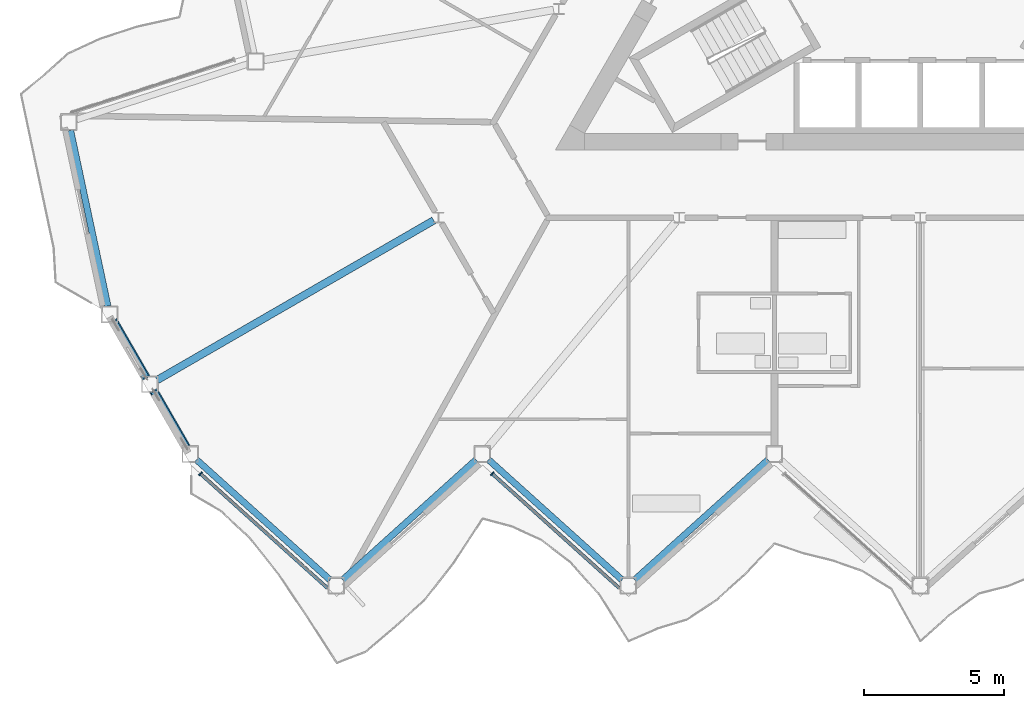
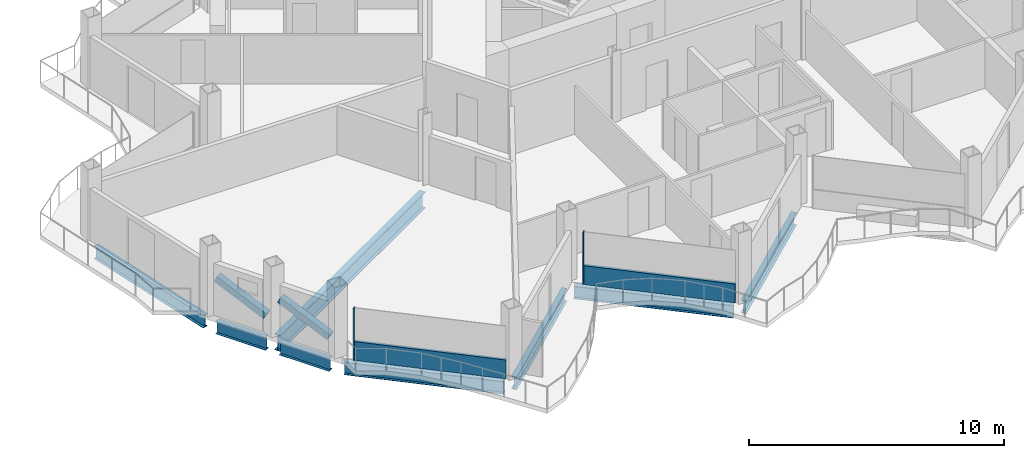
# One storey, part 4 of 26: 8 beams, 6 members, 2 elements without a shape of their own.
"""IFC4 building model written with IfcOpenShell, lengths in metres."""

from ifc_helpers import new_model, si_unit, direction, frame, origin, origin_2d, place, context, subcontext, project, spatial, rectangle, hollow_rectangle, i_section, extrude, material, layer, layer_set, material_profile, profile_set, type_object, element, aggregate, save


model = new_model("IFC4")

# Units and contexts
model_context = context("Model", 3, precision=1e-05, world=origin(), true_north=direction((0.0, 1.0)))
body_context = subcontext(model_context, "Body", "Model", "MODEL_VIEW")
ifc_project = project(units=[si_unit("LENGTHUNIT", "METRE"), si_unit("AREAUNIT", "SQUARE_METRE"), si_unit("VOLUMEUNIT", "CUBIC_METRE"), si_unit("PLANEANGLEUNIT", "RADIAN"), si_unit("MASSUNIT", "GRAM", prefix="KILO")], contexts=[model_context])

# Site, building, storey
site_placement = place(None, origin())
site = spatial("IfcSite", under=ifc_project, at=site_placement, CompositionType="ELEMENT")
building_placement = place(site_placement, origin())
building = spatial("IfcBuilding", under=site, at=building_placement, Name="Cormorant Prow Tower", CompositionType="ELEMENT")
storey_placement = place(building_placement, frame((0.0, 0.0, 322.199951171875)))
storey = spatial("IfcBuildingStorey", under=building, at=storey_placement, Name="L71", CompositionType="ELEMENT", Elevation=322.199951171875)

# Members
ifc_material_1 = material(Name="Structural steel ASTM A500 Gr C", Category="steel")
ifc_material_profile_1 = material_profile(ifc_material_1, hollow_rectangle(XDim=0.3046875, YDim=0.3046875, WallThickness=0.01171875, at=origin_2d()), Name="HSS12x12x1/2")
ifc_profile_set_1 = profile_set([ifc_material_profile_1], Name="Structural steel ASTM A500 Gr C")
member_type_1 = type_object("IfcMemberType", Name="Chamfer brace HSS12x12x1/2", PredefinedType="BRACE", material=ifc_profile_set_1)
for number, where, z_axis, x_axis, name in (
    (1, (-27.589599609375, -15.5654296875, 0.7412109375), (-0.456265706889, 0.790324476185, 0.408911759503), (-0.866038851724, -0.499976706761, 0.0), "Chamfer brace BR3 at WSW00 L71"),
    (2, (-26.15283203125, -18.05419921875, 0.7412109375), (-0.456265706889, 0.790324476185, 0.408911759503), (-0.866038851724, -0.499976706761, 0.0), "Chamfer brace BR3 at WSW01 L71"),
):
    element("IfcMember", number, at=place(storey_placement, frame(where, z_axis=z_axis, x_axis=x_axis)), inside=storey, type_object=member_type_1, Name=name, PredefinedType="BRACE", context=body_context, shape_type="SweptSolid", body=[
        extrude(hollow_rectangle(XDim=0.3046875, YDim=0.3046875, WallThickness=0.01171875, at=origin_2d()), origin(), (0.0, 0.0, 1.0), 2.459228515625),
    ])

# Beam
ifc_material_2 = material(Name="Structural steel ASTM A992 Gr 50", Category="steel")
ifc_material_profile_2 = material_profile(ifc_material_2, i_section(OverallWidth=0.267822265625, OverallDepth=0.77001953125, WebThickness=0.015625, FlangeThickness=0.025390625, at=origin_2d()), Name="W30x132")
ifc_profile_set_2 = profile_set([ifc_material_profile_2], Name="Structural steel ASTM A992 Gr 50")
beam_type_1 = type_object("IfcBeamType", Name="Radial floor beam W30x132", PredefinedType="BEAM", material=ifc_profile_set_2)
beam_1_placement = place(storey_placement, frame((-17.328125, -10.00439453125, -0.684814453125), z_axis=(-0.866024637028, -0.500001328059, 0.0), x_axis=(0.500001328059, -0.866024637028, 0.0)))
element("IfcBeam", 3, at=beam_1_placement, inside=storey, type_object=beam_type_1, Name="Radial floor beam FB3 5 L71", PredefinedType="BEAM", context=body_context, shape_type="SweptSolid", body=[
    extrude(i_section(OverallWidth=0.267822265625, OverallDepth=0.77001953125, WebThickness=0.015625, FlangeThickness=0.025390625, at=origin_2d()), origin(), (0.0, 0.0, 1.0), 11.3671875),
])

# Curtain wall, member
ifc_material_3 = material(Name="Aluminium 6063-T6", Category="aluminium")
ifc_layer = layer(ifc_material_3, 0.159912109375)
ifc_layer_set = layer_set([ifc_layer], Name="Aluminium 6063-T6")
curtain_wall_type = type_object("IfcCurtainWallType", Name="Residential unitised curtain wall 160", PredefinedType="NOTDEFINED", material=ifc_layer_set)
curtain_wall_1_placement = place(storey_placement, origin())
curtain_wall_1 = element("IfcCurtainWall", 4, at=curtain_wall_1_placement, inside=storey, type_object=curtain_wall_type, Name="Residential curtain wall S00", PredefinedType="NOTDEFINED")
ifc_material_4 = material(Name="Aluminium 6063-T6", Category="aluminium")
ifc_material_profile_3 = material_profile(ifc_material_4, rectangle(XDim=0.159912109375, YDim=0.050048828125, at=origin_2d()), Name="Residential mullion 50x160")
ifc_profile_set_3 = profile_set([ifc_material_profile_3], Name="Aluminium 6063-T6")
member_type_2 = type_object("IfcMemberType", Name="Residential mullion 50x160", PredefinedType="MULLION", material=ifc_profile_set_3)
member_1_placement = place(storey_placement, frame((-25.63232421875, -19.025146484375, 0.0), z_axis=(0.0, 0.0, 1.0), x_axis=(0.669130654479, 0.74314478215, 0.0)))
member_1 = element("IfcMember", 5, at=member_1_placement, type_object=member_type_2, Name="Residential mullion S00", PredefinedType="MULLION", context=body_context, shape_type="SweptSolid", body=[
    extrude(rectangle(XDim=0.159912109375, YDim=0.050048828125, at=origin_2d()), origin(), (0.0, 0.0, 1.0), 2.488037109375),
])

curtain_wall_2_placement = place(storey_placement, origin())
curtain_wall_2 = element("IfcCurtainWall", 6, at=curtain_wall_2_placement, inside=storey, type_object=curtain_wall_type, Name="Residential curtain wall S02", PredefinedType="NOTDEFINED")
member_2_placement = place(storey_placement, frame((-15.242919921875, -19.025146484375, 0.0), z_axis=(0.0, 0.0, 1.0), x_axis=(0.669130654479, 0.74314478215, 0.0)))
member_2 = element("IfcMember", 7, at=member_2_placement, type_object=member_type_2, Name="Residential mullion S02", PredefinedType="MULLION", context=body_context, shape_type="SweptSolid", body=[
    extrude(rectangle(XDim=0.159912109375, YDim=0.050048828125, at=origin_2d()), origin(), (0.0, 0.0, 1.0), 2.488037109375),
])

# Member
ifc_material_5 = material(Name="Terracotta", Category="masonry")
ifc_material_profile_4 = material_profile(ifc_material_5, rectangle(XDim=0.1201171875, YDim=0.89990234375, at=origin_2d()), Name="Residential terracotta spandrel rail 120x900")
ifc_profile_set_4 = profile_set([ifc_material_profile_4], Name="Terracotta")
member_type_3 = type_object("IfcMemberType", Name="Residential terracotta spandrel rail 120x900", PredefinedType="USERDEFINED", material=ifc_profile_set_4)
member_3_placement = place(storey_placement, frame((-25.61376953125, -19.0419921875, 0.449951171875), z_axis=(0.74314818338, -0.669126877012, 0.0), x_axis=(0.669126877012, 0.74314818338, 0.0)))
member_3 = element("IfcMember", 8, at=member_3_placement, type_object=member_type_3, Name="Residential spandrel rail S00", ObjectType="TRANSOM", PredefinedType="USERDEFINED", context=body_context, shape_type="SweptSolid", body=[
    extrude(rectangle(XDim=0.1201171875, YDim=0.89990234375, at=origin_2d()), origin(), (0.0, 0.0, 1.0), 6.072021484375),
])

aggregate(curtain_wall_1, [member_1, member_3])

member_4_placement = place(storey_placement, frame((-15.224365234375, -19.0419921875, 0.449951171875), z_axis=(0.74314818338, -0.669126877012, 0.0), x_axis=(0.669126877012, 0.74314818338, 0.0)))
member_4 = element("IfcMember", 9, at=member_4_placement, type_object=member_type_3, Name="Residential spandrel rail S02", ObjectType="TRANSOM", PredefinedType="USERDEFINED", context=body_context, shape_type="SweptSolid", body=[
    extrude(rectangle(XDim=0.1201171875, YDim=0.89990234375, at=origin_2d()), origin(), (0.0, 0.0, 1.0), 6.072021484375),
])

aggregate(curtain_wall_2, [member_2, member_4])

# Beams
ifc_material_6 = material(Name="Structural steel ASTM A992 Gr 50", Category="steel")
ifc_material_profile_5 = material_profile(ifc_material_6, i_section(OverallWidth=0.22900390625, OverallDepth=0.612060546875, WebThickness=0.011962890625, FlangeThickness=0.01953125, at=origin_2d()), Name="W24x84")
ifc_profile_set_5 = profile_set([ifc_material_profile_5], Name="Structural steel ASTM A992 Gr 50")
beam_type_2 = type_object("IfcBeamType", Name="Spandrel beam W24x84", PredefinedType="SPANDREL", material=ifc_profile_set_5)
beam_2_placement = place(storey_placement, frame((-25.7724609375, -18.527587890625, -0.60595703125), z_axis=(0.743144186555, -0.669131315954, 0.0), x_axis=(0.669131315954, 0.743144186555, 0.0)))
element("IfcBeam", 10, at=beam_2_placement, inside=storey, type_object=beam_type_2, Name="Spandrel beam SB3 S00-S01 L71", PredefinedType="SPANDREL", context=body_context, shape_type="SweptSolid", body=[
    extrude(i_section(OverallWidth=0.22900390625, OverallDepth=0.612060546875, WebThickness=0.011962890625, FlangeThickness=0.01953125, at=origin_2d()), origin(), (0.0, 0.0, 1.0), 6.39599609375),
])
beam_3_placement = place(storey_placement, frame((-20.573486328125, -22.807373046875, -0.60595703125), z_axis=(0.743161276225, 0.669112335502, 0.0), x_axis=(-0.669112335502, 0.743161276225, 0.0)))
element("IfcBeam", 11, at=beam_3_placement, inside=storey, type_object=beam_type_2, Name="Spandrel beam SB3 S01-S02 L71", PredefinedType="SPANDREL", context=body_context, shape_type="SweptSolid", body=[
    extrude(i_section(OverallWidth=0.22900390625, OverallDepth=0.612060546875, WebThickness=0.011962890625, FlangeThickness=0.01953125, at=origin_2d()), origin(), (0.0, 0.0, 1.0), 6.396240234375),
])
for number, where, z_axis, x_axis, name in (
    (12, (-15.374267578125, -18.527587890625, -0.60595703125), (0.743144186555, -0.669131315954, 0.0), (0.669131315954, 0.743144186555, 0.0), "Spandrel beam SB3 S02-S03 L71"),
    (13, (-10.17529296875, -22.807373046875, -0.60595703125), (0.743144186555, 0.669131315954, 0.0), (-0.669131315954, 0.743144186555, 0.0), "Spandrel beam SB3 S03-S04 L71"),
):
    element("IfcBeam", number, at=place(storey_placement, frame(where, z_axis=z_axis, x_axis=x_axis)), inside=storey, type_object=beam_type_2, Name=name, PredefinedType="SPANDREL", context=body_context, shape_type="SweptSolid", body=[
        extrude(i_section(OverallWidth=0.22900390625, OverallDepth=0.612060546875, WebThickness=0.011962890625, FlangeThickness=0.01953125, at=origin_2d()), origin(), (0.0, 0.0, 1.0), 6.39599609375),
    ])
beam_4_placement = place(storey_placement, frame((-30.261474609375, -6.799560546875, -0.60595703125), z_axis=(0.20791262393, -0.978147402394, 0.0), x_axis=(0.978147402394, 0.20791262393, 0.0)))
element("IfcBeam", 14, at=beam_4_placement, inside=storey, type_object=beam_type_2, Name="Spandrel beam SB3 WNW09-WSW00 L71", PredefinedType="SPANDREL", context=body_context, shape_type="SweptSolid", body=[
    extrude(i_section(OverallWidth=0.22900390625, OverallDepth=0.612060546875, WebThickness=0.011962890625, FlangeThickness=0.01953125, at=origin_2d()), origin(), (0.0, 0.0, 1.0), 6.396240234375),
])
beam_5_placement = place(storey_placement, frame((-28.71923828125, -13.609130859375, -0.60595703125), z_axis=(0.500053962254, -0.865994246421, 0.0), x_axis=(0.865994246421, 0.500053962254, 0.0)))
element("IfcBeam", 15, at=beam_5_placement, inside=storey, type_object=beam_type_2, Name="Spandrel beam SB3 WSW00-WSW01 L71", PredefinedType="SPANDREL", context=body_context, shape_type="SweptSolid", body=[
    extrude(i_section(OverallWidth=0.22900390625, OverallDepth=0.612060546875, WebThickness=0.011962890625, FlangeThickness=0.01953125, at=origin_2d()), origin(), (0.0, 0.0, 1.0), 2.273681640625),
])
beam_6_placement = place(storey_placement, frame((-27.2822265625, -16.097900390625, -0.60595703125), z_axis=(0.49997342893, -0.866040744055, 0.0), x_axis=(0.866040744055, 0.49997342893, 0.0)))
element("IfcBeam", 16, at=beam_6_placement, inside=storey, type_object=beam_type_2, Name="Spandrel beam SB3 WSW01-S00 L71", PredefinedType="SPANDREL", context=body_context, shape_type="SweptSolid", body=[
    extrude(i_section(OverallWidth=0.22900390625, OverallDepth=0.612060546875, WebThickness=0.011962890625, FlangeThickness=0.01953125, at=origin_2d()), origin(), (0.0, 0.0, 1.0), 2.2734375),
])

save(model, "model.ifc")
